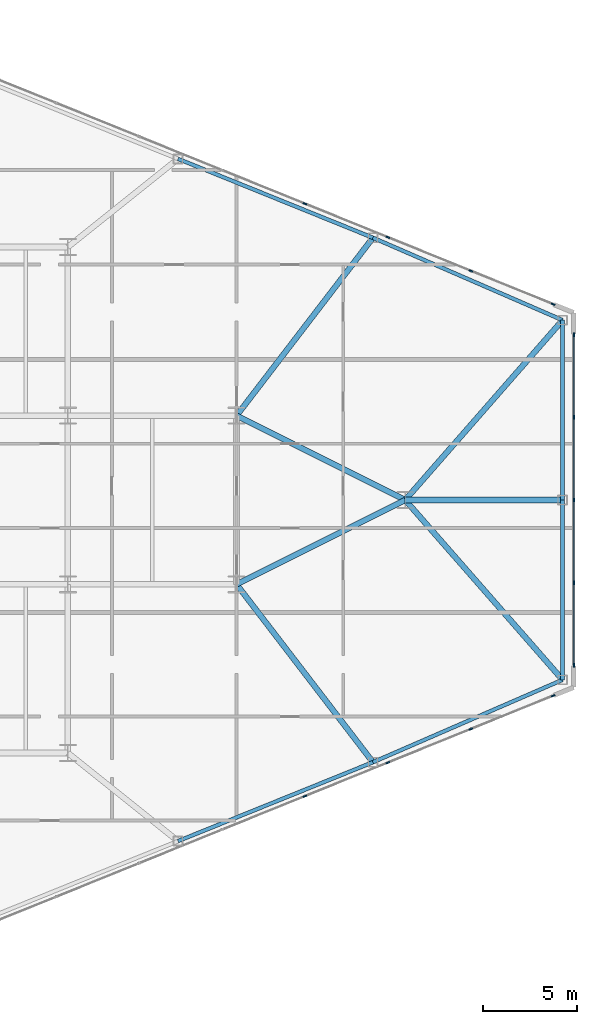
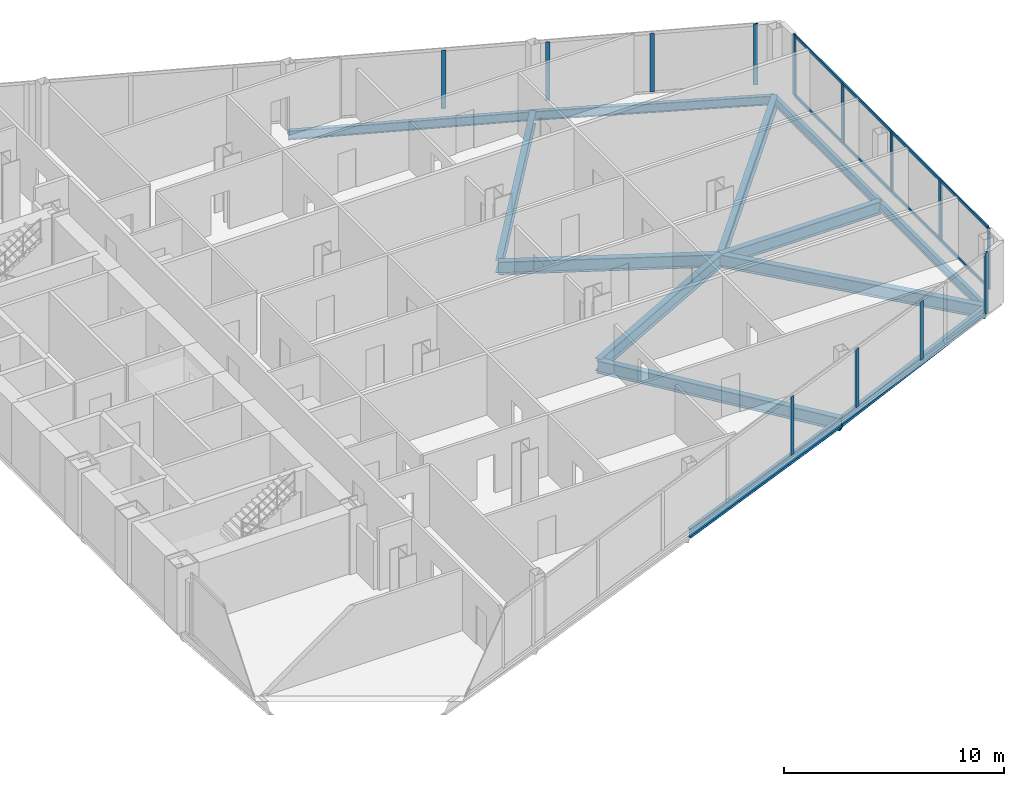
# One storey, part 14 of 25: 15 members, 13 beams, 3 elements without a shape of their own.
"""IFC4 building model written with IfcOpenShell, lengths in metres."""

import ifcopenshell
import ifcopenshell.guid

model = None  # the IFC model being written
_history = None  # IfcOwnerHistory: only IFC2X3 demands one
_inside = {}  # id of a spatial element -> (the spatial element, [elements in it])
_under = {}  # id of a project, library or spatial element -> (it, [spatial elements below it])
_declared = {}  # id of a project -> (the project, [libraries it declares])
_typed = {}  # id of a type object -> (the type object, [elements of that type])
_made_of = {}  # id of a material, layer set ... -> (it, [elements and type objects made of it])


def new_model(schema):
    """Start an empty IFC model of exactly this schema.

    Asked for "IFC4X3", IfcOpenShell would pick the latest addendum, in which some entities
    have other attributes; the version numbers below select the first issue.
    IFC2X3 requires an IfcOwnerHistory on every rooted entity: one is made here for all.
    """
    global model, _history
    if schema == "IFC4X3":
        model = ifcopenshell.file(schema_version=(4, 3, 0, 0))
    else:
        model = ifcopenshell.file(schema=schema)
    _inside.clear()
    _under.clear()
    _declared.clear()
    _typed.clear()
    _made_of.clear()
    _history = None
    if model.schema == "IFC2X3":
        org = make("IfcOrganization", Name="unknown")
        user = make(
            "IfcPersonAndOrganization",
            ThePerson=make("IfcPerson", FamilyName="unknown"),
            TheOrganization=org,
        )
        app = make(
            "IfcApplication",
            ApplicationDeveloper=org,
            Version="unknown",
            ApplicationFullName="unknown",
            ApplicationIdentifier="unknown",
        )
        _history = make(
            "IfcOwnerHistory",
            OwningUser=user,
            OwningApplication=app,
            ChangeAction="ADDED",
            CreationDate=0,
        )
    return model


def make(cls, **values):
    """One entity of the class cls with the attributes given. An attribute that is None is left unset."""
    return model.create_entity(
        cls, **{name: value for name, value in values.items() if value is not None}
    )


def rooted(cls, **values):
    """An entity with a GlobalId (a new one), such as an element, a storey or a relation."""
    return make(cls, GlobalId=ifcopenshell.guid.new(), OwnerHistory=_history, **values)


def si_unit(unit_type, name, prefix=None):
    """IfcSIUnit, for example si_unit("LENGTHUNIT", "METRE", prefix="MILLI")."""
    return make("IfcSIUnit", UnitType=unit_type, Prefix=prefix, Name=name)


def assignment(units):
    """IfcUnitAssignment: the units of a project."""
    return None if units is None else make("IfcUnitAssignment", Units=units)


def point(xyz):
    """IfcCartesianPoint."""
    return None if xyz is None else make("IfcCartesianPoint", Coordinates=xyz)


def direction(xyz):
    """IfcDirection."""
    return None if xyz is None else make("IfcDirection", DirectionRatios=xyz)


def frame(location, z_axis=None, x_axis=None):
    """IfcAxis2Placement3D, a coordinate frame: its origin and axes. An axis left out is left unset."""
    return make(
        "IfcAxis2Placement3D",
        Location=point(location),
        Axis=direction(z_axis),
        RefDirection=direction(x_axis),
    )


def frame_2d(location, x_axis=None):
    """IfcAxis2Placement2D, a coordinate frame in the plane: its origin and x axis."""
    return make(
        "IfcAxis2Placement2D", Location=point(location), RefDirection=direction(x_axis)
    )


def origin():
    """The frame at (0, 0, 0) with its axes left unset."""
    return frame((0.0, 0.0, 0.0))


def origin_2d():
    """The frame at (0, 0) in the plane with its x axis left unset."""
    return frame_2d((0.0, 0.0))


def place(relative_to, where):
    """IfcLocalPlacement: puts the frame where relative to a parent placement (None: the world)."""
    return make(
        "IfcLocalPlacement", PlacementRelTo=relative_to, RelativePlacement=where
    )


def context(
    kind, dimensions, precision=None, world=None, true_north=None, identifier=None
):
    """IfcGeometricRepresentationContext, for example the 3D "Model" context."""
    return make(
        "IfcGeometricRepresentationContext",
        ContextIdentifier=identifier,
        ContextType=kind,
        CoordinateSpaceDimension=dimensions,
        Precision=precision,
        WorldCoordinateSystem=world,
        TrueNorth=true_north,
    )


def subcontext(parent, identifier, kind, view, scale=None):
    """IfcGeometricRepresentationSubContext, for example "Body" below "Model"."""
    return make(
        "IfcGeometricRepresentationSubContext",
        ContextIdentifier=identifier,
        ContextType=kind,
        ParentContext=parent,
        TargetScale=scale,
        TargetView=view,
    )


def project(units=None, contexts=None):
    """IfcProject with its units and contexts."""
    return rooted(
        "IfcProject",
        Name="project",
        RepresentationContexts=contexts,
        UnitsInContext=assignment(units),
    )


def spatial(cls, under=None, at=None, **own):
    """A site, building, storey or space (cls), placed at a placement, below another one or the project."""
    s = rooted(cls, ObjectPlacement=at, **own)
    if under is not None:
        _under.setdefault(under.id(), (under, []))[1].append(s)
    return s


def profile(cls, at=None, kind="AREA", **sizes):
    """A parametric profile (cls). Its sizes go by their IFC names, for example OverallWidth=200.0."""
    return make(cls, ProfileType=kind, Position=at, **sizes)


def rectangle(**sizes):
    """IfcRectangleProfileDef."""
    return profile("IfcRectangleProfileDef", **sizes)


def i_section(**sizes):
    """IfcIShapeProfileDef."""
    return profile("IfcIShapeProfileDef", **sizes)


def extrude(swept, where, along, depth):
    """IfcExtrudedAreaSolid: the profile swept, set in the frame where, extruded along a direction by depth."""
    return make(
        "IfcExtrudedAreaSolid",
        SweptArea=swept,
        Position=where,
        ExtrudedDirection=direction(along),
        Depth=depth,
    )


def shape(context_of_items, identifier, shape_type, items):
    """IfcShapeRepresentation: the items that make up one representation, for example the "Body"."""
    return make(
        "IfcShapeRepresentation",
        ContextOfItems=context_of_items,
        RepresentationIdentifier=identifier,
        RepresentationType=shape_type,
        Items=items,
    )


def source(mapping_origin, context_of_items, identifier, shape_type, items):
    """IfcRepresentationMap: a shape defined once, which mapped items show again and again."""
    return make(
        "IfcRepresentationMap",
        MappingOrigin=mapping_origin,
        MappedRepresentation=shape(context_of_items, identifier, shape_type, items),
    )


def transform(
    local_origin,
    x_axis=None,
    y_axis=None,
    z_axis=None,
    scale=None,
    scale2=None,
    scale3=None,
    uniform=True,
):
    """IfcCartesianTransformationOperator3D, or its non-uniform kind. x_axis, y_axis, z_axis: its Axis1, 2, 3."""
    if uniform:
        return make(
            "IfcCartesianTransformationOperator3D",
            Axis1=direction(x_axis),
            Axis2=direction(y_axis),
            LocalOrigin=point(local_origin),
            Scale=scale,
            Axis3=direction(z_axis),
        )
    return make(
        "IfcCartesianTransformationOperator3DnonUniform",
        Axis1=direction(x_axis),
        Axis2=direction(y_axis),
        LocalOrigin=point(local_origin),
        Scale=scale,
        Axis3=direction(z_axis),
        Scale2=scale2,
        Scale3=scale3,
    )


def mapped(mapping_source, mapping_target):
    """IfcMappedItem: shows the shape of a source again, moved by a transform."""
    return make(
        "IfcMappedItem", MappingSource=mapping_source, MappingTarget=mapping_target
    )


def material(Name=None, Category=None):
    """IfcMaterial."""
    return make("IfcMaterial", Name=Name, Category=Category)


def layer(
    of_material, thickness, ventilated=None, Name=None, Category=None, Priority=None
):
    """IfcMaterialLayer: one layer of a wall or slab, of a material (None: an air gap)."""
    return make(
        "IfcMaterialLayer",
        Material=of_material,
        LayerThickness=thickness,
        IsVentilated=ventilated,
        Name=Name,
        Category=Category,
        Priority=Priority,
    )


def layer_set(layers, Name=None):
    """IfcMaterialLayerSet."""
    return make("IfcMaterialLayerSet", MaterialLayers=layers, LayerSetName=Name)


def material_profile(
    of_material, cross_section, Name=None, Category=None, Priority=None
):
    """IfcMaterialProfile: a cross section and its material."""
    return make(
        "IfcMaterialProfile",
        Name=Name,
        Material=of_material,
        Profile=cross_section,
        Priority=Priority,
        Category=Category,
    )


def profile_set(profiles, Name=None, composite=None):
    """IfcMaterialProfileSet."""
    return make(
        "IfcMaterialProfileSet",
        Name=Name,
        MaterialProfiles=profiles,
        CompositeProfile=composite,
    )


def made_of(thing, what):
    """Note that an element or type object is made of a material, layer set ...; save() writes the relation."""
    if what is not None:
        _made_of.setdefault(what.id(), (what, []))[1].append(thing)
    return thing


def type_object(cls, material=None, **own):
    """A type object (cls), such as IfcWallType, which elements share."""
    return made_of(rooted(cls, **own), material)


def type_shapes(of_type, sources):
    """Give a type object the sources (RepresentationMaps) that its elements show as mapped items."""
    of_type.RepresentationMaps = sources


def element(
    cls,
    number,
    at=None,
    inside=None,
    cuts=None,
    type_object=None,
    material=None,
    context=None,
    identifier="Body",
    shape_type=None,
    held_by="IfcProductDefinitionShape",
    body=None,
    shapes=None,
    **own,
):
    """One element of the class cls, such as IfcWall. Its Tag is "e" and its number.

    at: its placement. inside: the storey or other place that contains it. cuts: it is an
    opening in that element (IfcRelVoidsElement). A single representation is given by context,
    identifier, shape_type and body (its items); several are given by shapes. held_by: the class
    of the entity that holds the representations. save() writes the other relations.
    """
    e = rooted(cls, Tag="e%d" % number, ObjectPlacement=at, **own)
    if body is not None:
        shapes = [shape(context, identifier, shape_type, body)]
    if shapes is not None:
        e.Representation = make(held_by, Representations=shapes)
    if inside is not None:
        _inside.setdefault(inside.id(), (inside, []))[1].append(e)
    if cuts is not None:
        rooted(
            "IfcRelVoidsElement", RelatingBuildingElement=cuts, RelatedOpeningElement=e
        )
    if type_object is not None:
        _typed.setdefault(type_object.id(), (type_object, []))[1].append(e)
    return made_of(e, material)


def aggregate(whole, parts):
    """IfcRelAggregates: a whole, such as a stair, and the parts it consists of."""
    return rooted("IfcRelAggregates", RelatingObject=whole, RelatedObjects=parts)


def save(model, path):
    """Write the relations noted so far, then the file.

    IfcRelAggregates (storeys below a building ...), IfcRelContainedInSpatialStructure (elements
    in a storey), IfcRelDefinesByType, IfcRelAssociatesMaterial and IfcRelDeclares: one each for
    every whole, place, type object, material and project.
    """
    for whole, parts in _under.values():
        aggregate(whole, parts)
    for where, things in _inside.values():
        rooted(
            "IfcRelContainedInSpatialStructure",
            RelatedElements=things,
            RelatingStructure=where,
        )
    for kind, things in _typed.values():
        rooted("IfcRelDefinesByType", RelatedObjects=things, RelatingType=kind)
    for what, things in _made_of.values():
        rooted("IfcRelAssociatesMaterial", RelatedObjects=things, RelatingMaterial=what)
    for by, libraries in _declared.values():
        rooted("IfcRelDeclares", RelatingContext=by, RelatedDefinitions=libraries)
    model.write(path)


model = new_model("IFC4")

# Units and contexts
model_context = context("Model", 3, precision=1e-05, world=origin(), true_north=direction((0.0, 1.0)))
body_context = subcontext(model_context, "Body", "Model", "MODEL_VIEW")
ifc_project = project(units=[si_unit("LENGTHUNIT", "METRE"), si_unit("AREAUNIT", "SQUARE_METRE"), si_unit("VOLUMEUNIT", "CUBIC_METRE"), si_unit("PLANEANGLEUNIT", "RADIAN"), si_unit("MASSUNIT", "GRAM", prefix="KILO")], contexts=[model_context])

# Site, building, storey
site_placement = place(None, origin())
site = spatial("IfcSite", under=ifc_project, at=site_placement, CompositionType="ELEMENT")
building_placement = place(site_placement, origin())
building = spatial("IfcBuilding", under=site, at=building_placement, Name="Seokmaru Belvedere", CompositionType="ELEMENT")
storey_placement = place(building_placement, frame((0.0, 0.0, 26.10009765625)))
storey = spatial("IfcBuildingStorey", under=building, at=storey_placement, Name="L06", CompositionType="ELEMENT", Elevation=26.10009765625)

# Beams
ifc_material_1 = material(Name="Steel SM355 (355 MPa)", Category="steel")
ifc_material_profile_1 = material_profile(ifc_material_1, i_section(OverallWidth=0.300048828125, OverallDepth=0.699951171875, WebThickness=0.012939453125, FlangeThickness=0.02392578125, at=origin_2d()), Name="H-700x300x13x24")
ifc_profile_set_1 = profile_set([ifc_material_profile_1], Name="Steel SM355 (355 MPa)")
beam_type_1 = type_object("IfcBeamType", Name="Primary Floor Girder H-700", PredefinedType="BEAM", material=ifc_profile_set_1)
shared_shape_1 = source(origin(), body_context, "Body", "SweptSolid", [
    extrude(i_section(OverallWidth=0.300048828125, OverallDepth=0.699951171875, WebThickness=0.012939453125, FlangeThickness=0.02392578125, at=origin_2d()), origin(), (0.0, 0.0, 1.0), 10.062255859375),
])
for number, where, z_axis, x_axis, name in (
    (1, (54.5, -4.5, -0.570068359375), (0.894427191, 0.4472135955, 0.0), (-0.4472135955, 0.894427191, 0.0), "L06 E Apex Converging Girder 1"),
    (2, (54.5, 4.5, -0.570068359375), (0.894427191, -0.4472135955, 0.0), (0.4472135955, 0.894427191, 0.0), "L06 E Apex Converging Girder 2"),
):
    element("IfcBeam", number, at=place(storey_placement, frame(where, z_axis=z_axis, x_axis=x_axis)), inside=storey, type_object=beam_type_1, Name=name, PredefinedType="BEAM", context=body_context, shape_type="MappedRepresentation", body=[
        mapped(shared_shape_1, transform((0.0, 0.0, 0.0), scale=1.0)),
    ])
shared_shape_2 = source(origin(), body_context, "Body", "SweptSolid", [
    extrude(i_section(OverallWidth=0.300048828125, OverallDepth=0.699951171875, WebThickness=0.012939453125, FlangeThickness=0.02392578125, at=origin_2d()), origin(), (0.0, 0.0, 1.0), 12.7529296875),
])
for number, where, z_axis, x_axis, name in (
    (3, (71.89990234375, -9.595703125, -0.570068359375), (-0.658667231479, 0.752434368019, 0.0), (-0.752434368019, -0.658667231479, 0.0), "L06 E Apex Radial Floor Girder 1"),
    (4, (71.89990234375, 9.595703125, -0.570068359375), (-0.658667231479, -0.752434368019, 0.0), (0.752434368019, -0.658667231479, 0.0), "L06 E Apex Radial Floor Girder 2"),
):
    element("IfcBeam", number, at=place(storey_placement, frame(where, z_axis=z_axis, x_axis=x_axis)), inside=storey, type_object=beam_type_1, Name=name, PredefinedType="BEAM", context=body_context, shape_type="MappedRepresentation", body=[
        mapped(shared_shape_2, transform((0.0, 0.0, 0.0), scale=1.0)),
    ])
ifc_material_profile_2 = material_profile(ifc_material_1, i_section(OverallWidth=0.199951171875, OverallDepth=0.5, WebThickness=0.010009765625, FlangeThickness=0.01611328125, at=origin_2d()), Name="H-500x200x10x16")
ifc_profile_set_2 = profile_set([ifc_material_profile_2], Name="Steel SM355 (355 MPa)")
beam_type_2 = type_object("IfcBeamType", Name="Perimeter Spandrel Beam H-500", PredefinedType="SPANDREL", material=ifc_profile_set_2)
shared_shape_3 = source(origin(), body_context, "Body", "SweptSolid", [
    extrude(i_section(OverallWidth=0.199951171875, OverallDepth=0.5, WebThickness=0.010009765625, FlangeThickness=0.01611328125, at=origin_2d()), origin(), (0.0, 0.0, 1.0), 11.220703125),
])
for number, where, z_axis, x_axis, name in (
    (5, (51.378173828125, -18.2041015625, -0.47021484375), (0.926944290816, 0.375198989503, 0.0), (-0.375198989503, 0.926944290816, 0.0), "L06 E Faceted Flank Spandrel S-3"),
    (6, (51.378173828125, 18.2041015625, -0.47021484375), (0.926944290816, -0.375198989503, 0.0), (0.375198989503, 0.926944290816, 0.0), "L06 E Faceted Flank Spandrel N-3"),
):
    element("IfcBeam", number, at=place(storey_placement, frame(where, z_axis=z_axis, x_axis=x_axis)), inside=storey, type_object=beam_type_2, Name=name, PredefinedType="SPANDREL", context=body_context, shape_type="MappedRepresentation", body=[
        mapped(shared_shape_3, transform((0.0, 0.0, 0.0), scale=1.0)),
    ])
shared_shape_4 = source(origin(), body_context, "Body", "SweptSolid", [
    extrude(i_section(OverallWidth=0.199951171875, OverallDepth=0.5, WebThickness=0.010009765625, FlangeThickness=0.01611328125, at=origin_2d()), origin(), (0.0, 0.0, 1.0), 11.035400390625),
])
for number, where, z_axis, x_axis, name in (
    (7, (61.779052734375, -13.994140625, -0.47021484375), (0.917134058682, 0.398578873507, 0.0), (-0.398578873507, 0.917134058682, 0.0), "L06 E Faceted Flank Spandrel S-4"),
    (8, (61.779052734375, 13.994140625, -0.47021484375), (0.917134058682, -0.398578873507, 0.0), (0.398578873507, 0.917134058682, 0.0), "L06 E Faceted Flank Spandrel N-4"),
):
    element("IfcBeam", number, at=place(storey_placement, frame(where, z_axis=z_axis, x_axis=x_axis)), inside=storey, type_object=beam_type_2, Name=name, PredefinedType="SPANDREL", context=body_context, shape_type="MappedRepresentation", body=[
        mapped(shared_shape_4, transform((0.0, 0.0, 0.0), scale=1.0)),
    ])
shared_shape_5 = source(origin(), body_context, "Body", "SweptSolid", [
    extrude(i_section(OverallWidth=0.199951171875, OverallDepth=0.5, WebThickness=0.010009765625, FlangeThickness=0.01611328125, at=origin_2d()), origin(), (0.0, 0.0, 1.0), 9.595703125),
])
type_shapes(beam_type_2, [shared_shape_3, shared_shape_4, shared_shape_5])
for number, where, z_axis, x_axis, name in (
    (9, (71.89990234375, -9.595703125, -0.47021484375), (0.0, 1.0, 0.0), (-1.0, 0.0, 0.0), "L06 E Faceted Apex Spandrel S"),
    (10, (71.89990234375, 0.0, -0.47021484375), (0.0, 1.0, 0.0), (-1.0, 0.0, 0.0), "L06 E Faceted Apex Spandrel N"),
):
    element("IfcBeam", number, at=place(storey_placement, frame(where, z_axis=z_axis, x_axis=x_axis)), inside=storey, type_object=beam_type_2, Name=name, PredefinedType="SPANDREL", context=body_context, shape_type="MappedRepresentation", body=[
        mapped(shared_shape_5, transform((0.0, 0.0, 0.0), scale=1.0)),
    ])
shared_shape_6 = source(origin(), body_context, "Body", "SweptSolid", [
    extrude(i_section(OverallWidth=0.300048828125, OverallDepth=0.699951171875, WebThickness=0.012939453125, FlangeThickness=0.02392578125, at=origin_2d()), origin(), (0.0, 0.0, 1.0), 11.96337890625),
])
for number, where, z_axis, x_axis, name in (
    (11, (61.779052734375, -13.994140625, -0.570068359375), (-0.608442682624, 0.793597821294, 0.0), (-0.793597821294, -0.608442682624, 0.0), "L06 E Flank Radial Floor Girder S-3"),
    (12, (61.779052734375, 13.994140625, -0.570068359375), (-0.608442682624, -0.793597821294, 0.0), (0.793597821294, -0.608442682624, 0.0), "L06 E Flank Radial Floor Girder N-3"),
):
    element("IfcBeam", number, at=place(storey_placement, frame(where, z_axis=z_axis, x_axis=x_axis)), inside=storey, type_object=beam_type_1, Name=name, PredefinedType="BEAM", context=body_context, shape_type="MappedRepresentation", body=[
        mapped(shared_shape_6, transform((0.0, 0.0, 0.0), scale=1.0)),
    ])
shared_shape_7 = source(origin(), body_context, "Body", "SweptSolid", [
    extrude(i_section(OverallWidth=0.300048828125, OverallDepth=0.699951171875, WebThickness=0.012939453125, FlangeThickness=0.02392578125, at=origin_2d()), origin(), (0.0, 0.0, 1.0), 8.39990234375),
])
type_shapes(beam_type_1, [shared_shape_1, shared_shape_2, shared_shape_6, shared_shape_7])
beam_placement = place(storey_placement, frame((71.89990234375, 0.0, -0.570068359375), z_axis=(-1.0, 0.0, 0.0), x_axis=(0.0, -1.0, 0.0)))
element("IfcBeam", 13, at=beam_placement, inside=storey, type_object=beam_type_1, Name="L06 E Apex Center Radial Girder", PredefinedType="BEAM", context=body_context, shape_type="MappedRepresentation", body=[
    mapped(shared_shape_7, transform((0.0, 0.0, 0.0), scale=1.0)),
])

# Curtain wall, members
ifc_material_2 = material(Name="Bronze Triple Insulating Glass", Category="glass")
ifc_layer = layer(ifc_material_2, 0.2099609375)
ifc_layer_set = layer_set([ifc_layer], Name="Bronze Triple Insulating Glass")
curtain_wall_type = type_object("IfcCurtainWallType", Name="Low-Rise Faceted Crystal Curtain Wall System CW-2", PredefinedType="NOTDEFINED", material=ifc_layer_set)
curtain_wall_1_placement = place(storey_placement, origin())
curtain_wall_1 = element("IfcCurtainWall", 14, at=curtain_wall_1_placement, inside=storey, type_object=curtain_wall_type, Name="L06 Curtain Wall EF1", PredefinedType="NOTDEFINED")
ifc_material_3 = material(Name="Anodised Bronze Aluminium", Category="aluminium")
ifc_material_profile_3 = material_profile(ifc_material_3, rectangle(XDim=0.074951171875, YDim=0.2099609375, at=origin_2d()), Name="CW-M-75x210")
ifc_profile_set_3 = profile_set([ifc_material_profile_3], Name="Anodised Bronze Aluminium")
member_type_1 = type_object("IfcMemberType", Name="Bronze Unitised Mullion 75x210", PredefinedType="MULLION", material=ifc_profile_set_3)
shared_shape_8 = source(origin(), body_context, "Body", "SweptSolid", [
    extrude(rectangle(XDim=0.074951171875, YDim=0.2099609375, at=origin_2d()), origin(), (0.0, 0.0, 1.0), 3.239990234375),
])
member_1_placement = place(storey_placement, frame((58.144775390625, -15.810546875, 0.06982421875), z_axis=(0.0, 0.0, 1.0), x_axis=(-0.375192321888, 0.926946989637, 0.0)))
member_1 = element("IfcMember", 15, at=member_1_placement, type_object=member_type_1, Name="CW:L06:EF1 Mullion 7", PredefinedType="MULLION", context=body_context, shape_type="MappedRepresentation", body=[
    mapped(shared_shape_8, transform((0.0, 0.0, 0.0), scale=1.0)),
])
member_2_placement = place(storey_placement, frame((62.574462890625, -14.017578125, 0.06982421875), z_axis=(0.0, 0.0, 1.0), x_axis=(-0.375192321888, 0.926946989637, 0.0)))
member_2 = element("IfcMember", 16, at=member_2_placement, type_object=member_type_1, Name="CW:L06:EF1 Mullion 8", PredefinedType="MULLION", context=body_context, shape_type="MappedRepresentation", body=[
    mapped(shared_shape_8, transform((0.0, 0.0, 0.0), scale=1.0)),
])
member_3_placement = place(storey_placement, frame((67.004150390625, -12.224609375, 0.06982421875), z_axis=(0.0, 0.0, 1.0), x_axis=(-0.375192321888, 0.926946989637, 0.0)))
member_3 = element("IfcMember", 17, at=member_3_placement, type_object=member_type_1, Name="CW:L06:EF1 Mullion 9", PredefinedType="MULLION", context=body_context, shape_type="MappedRepresentation", body=[
    mapped(shared_shape_8, transform((0.0, 0.0, 0.0), scale=1.0)),
])

curtain_wall_2_placement = place(storey_placement, origin())
curtain_wall_2 = element("IfcCurtainWall", 18, at=curtain_wall_2_placement, inside=storey, type_object=curtain_wall_type, Name="L06 Curtain Wall EF2", PredefinedType="NOTDEFINED")
member_4_placement = place(storey_placement, frame((72.5, -4.425048828125, 0.06982421875), z_axis=(0.0, 0.0, 1.0), x_axis=(-1.0, 0.0, 0.0)))
member_4 = element("IfcMember", 19, at=member_4_placement, type_object=member_type_1, Name="CW:L06:EF2 Mullion 2", PredefinedType="MULLION", context=body_context, shape_type="MappedRepresentation", body=[
    mapped(shared_shape_8, transform((0.0, 0.0, 0.0), scale=1.0)),
])
member_5_placement = place(storey_placement, frame((72.5, 0.0, 0.06982421875), z_axis=(0.0, 0.0, 1.0), x_axis=(-1.0, 0.0, 0.0)))
member_5 = element("IfcMember", 20, at=member_5_placement, type_object=member_type_1, Name="CW:L06:EF2 Mullion 3", PredefinedType="MULLION", context=body_context, shape_type="MappedRepresentation", body=[
    mapped(shared_shape_8, transform((0.0, 0.0, 0.0), scale=1.0)),
])
member_6_placement = place(storey_placement, frame((72.5, 4.425048828125, 0.06982421875), z_axis=(0.0, 0.0, 1.0), x_axis=(-1.0, 0.0, 0.0)))
member_6 = element("IfcMember", 21, at=member_6_placement, type_object=member_type_1, Name="CW:L06:EF2 Mullion 4", PredefinedType="MULLION", context=body_context, shape_type="MappedRepresentation", body=[
    mapped(shared_shape_8, transform((0.0, 0.0, 0.0), scale=1.0)),
])

curtain_wall_3_placement = place(storey_placement, origin())
curtain_wall_3 = element("IfcCurtainWall", 22, at=curtain_wall_3_placement, inside=storey, type_object=curtain_wall_type, Name="L06 Curtain Wall EF3", PredefinedType="NOTDEFINED")
member_7_placement = place(storey_placement, frame((67.004150390625, 12.224609375, 0.06982421875), z_axis=(0.0, 0.0, 1.0), x_axis=(-0.375192321888, -0.926946989637, 0.0)))
member_7 = element("IfcMember", 23, at=member_7_placement, type_object=member_type_1, Name="CW:L06:EF3 Mullion 2", PredefinedType="MULLION", context=body_context, shape_type="MappedRepresentation", body=[
    mapped(shared_shape_8, transform((0.0, 0.0, 0.0), scale=1.0)),
])
member_8_placement = place(storey_placement, frame((62.574462890625, 14.017578125, 0.06982421875), z_axis=(0.0, 0.0, 1.0), x_axis=(-0.375192321888, -0.926946989637, 0.0)))
member_8 = element("IfcMember", 24, at=member_8_placement, type_object=member_type_1, Name="CW:L06:EF3 Mullion 3", PredefinedType="MULLION", context=body_context, shape_type="MappedRepresentation", body=[
    mapped(shared_shape_8, transform((0.0, 0.0, 0.0), scale=1.0)),
])
member_9_placement = place(storey_placement, frame((58.144775390625, 15.810546875, 0.06982421875), z_axis=(0.0, 0.0, 1.0), x_axis=(-0.375192321888, -0.926946989637, 0.0)))
member_9 = element("IfcMember", 25, at=member_9_placement, type_object=member_type_1, Name="CW:L06:EF3 Mullion 4", PredefinedType="MULLION", context=body_context, shape_type="MappedRepresentation", body=[
    mapped(shared_shape_8, transform((0.0, 0.0, 0.0), scale=1.0)),
])

# Member
ifc_material_profile_4 = material_profile(ifc_material_3, rectangle(XDim=0.070068359375, YDim=0.1650390625, at=origin_2d()), Name="CW-T-70x165")
ifc_profile_set_4 = profile_set([ifc_material_profile_4], Name="Anodised Bronze Aluminium")
member_type_2 = type_object("IfcMemberType", Name="Bronze Unitised Transom 70x165", PredefinedType="USERDEFINED", material=ifc_profile_set_4)
shared_shape_9 = source(origin(), body_context, "Body", "SweptSolid", [
    extrude(rectangle(XDim=0.070068359375, YDim=0.1650390625, at=origin_2d()), origin(), (0.0, 0.0, 1.0), 17.5498046875),
])
type_shapes(member_type_2, [shared_shape_9])
member_10_placement = place(storey_placement, frame((72.5, -8.77490234375, 0.034912109375), z_axis=(0.0, 1.0, 0.0), x_axis=(-1.0, 0.0, 0.0)))
member_10 = element("IfcMember", 26, at=member_10_placement, type_object=member_type_2, Name="CW:L06:EF2 Continuous Transom 1", ObjectType="TRANSOM", PredefinedType="USERDEFINED", context=body_context, shape_type="MappedRepresentation", body=[
    mapped(shared_shape_9, transform((0.0, 0.0, 0.0), scale=1.0)),
])

member_11_placement = place(storey_placement, frame((72.5, -8.77490234375, 3.344970703125), z_axis=(0.0, 1.0, 0.0), x_axis=(-1.0, 0.0, 0.0)))
member_11 = element("IfcMember", 27, at=member_11_placement, type_object=member_type_2, Name="CW:L06:EF2 Continuous Transom 2", ObjectType="TRANSOM", PredefinedType="USERDEFINED", context=body_context, shape_type="MappedRepresentation", body=[
    mapped(shared_shape_9, transform((0.0, 0.0, 0.0), scale=1.0)),
])

shared_shape_10 = source(origin(), body_context, "Body", "SweptSolid", [
    extrude(rectangle(XDim=0.074951171875, YDim=0.2099609375, at=origin_2d()), origin(), (0.0, 0.0, 1.0), 3.3798828125),
])
type_shapes(member_type_1, [shared_shape_8, shared_shape_10])
member_12_placement = place(storey_placement, frame((71.399169921875, -10.445556640625, 0.0), z_axis=(0.0, 0.0, 1.0), x_axis=(-0.375192321888, 0.926946989637, 0.0)))
member_12 = element("IfcMember", 28, at=member_12_placement, type_object=member_type_1, Name="CW:L06:EF1 Mullion 10", PredefinedType="MULLION", context=body_context, shape_type="MappedRepresentation", body=[
    mapped(shared_shape_10, transform((0.0, 0.0, 0.0), scale=1.0)),
])

aggregate(curtain_wall_1, [member_1, member_2, member_3, member_12])

member_13_placement = place(storey_placement, frame((72.5, -8.8125, 0.0), z_axis=(0.0, 0.0, 1.0), x_axis=(-1.0, 0.0, 0.0)))
member_13 = element("IfcMember", 29, at=member_13_placement, type_object=member_type_1, Name="CW:L06:EF2 Mullion 1", PredefinedType="MULLION", context=body_context, shape_type="MappedRepresentation", body=[
    mapped(shared_shape_10, transform((0.0, 0.0, 0.0), scale=1.0)),
])

member_14_placement = place(storey_placement, frame((72.5, 8.8125, 0.0), z_axis=(0.0, 0.0, 1.0), x_axis=(-1.0, 0.0, 0.0)))
member_14 = element("IfcMember", 30, at=member_14_placement, type_object=member_type_1, Name="CW:L06:EF2 Mullion 5", PredefinedType="MULLION", context=body_context, shape_type="MappedRepresentation", body=[
    mapped(shared_shape_10, transform((0.0, 0.0, 0.0), scale=1.0)),
])

aggregate(curtain_wall_2, [member_13, member_4, member_5, member_6, member_14, member_10, member_11])

member_15_placement = place(storey_placement, frame((71.399169921875, 10.445556640625, 0.0), z_axis=(0.0, 0.0, 1.0), x_axis=(-0.375192321888, -0.926946989637, 0.0)))
member_15 = element("IfcMember", 31, at=member_15_placement, type_object=member_type_1, Name="CW:L06:EF3 Mullion 1", PredefinedType="MULLION", context=body_context, shape_type="MappedRepresentation", body=[
    mapped(shared_shape_10, transform((0.0, 0.0, 0.0), scale=1.0)),
])

aggregate(curtain_wall_3, [member_15, member_7, member_8, member_9])

save(model, "model.ifc")
